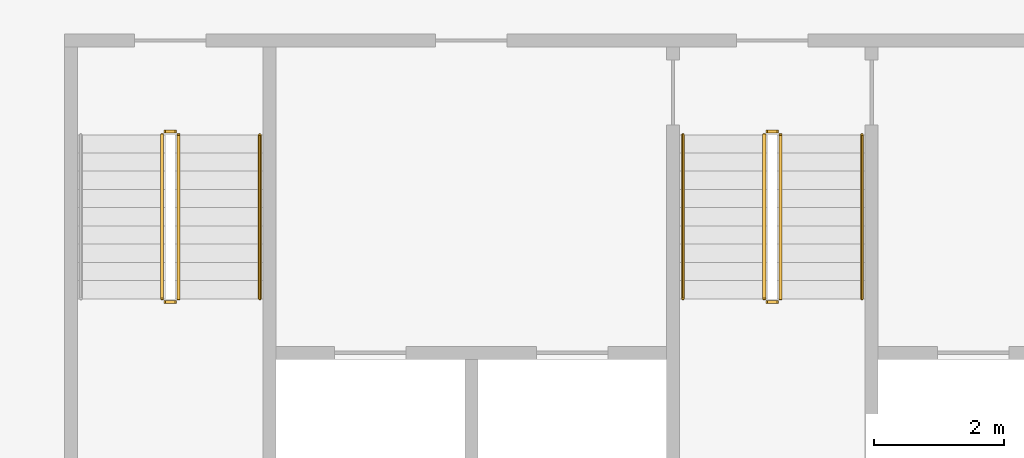
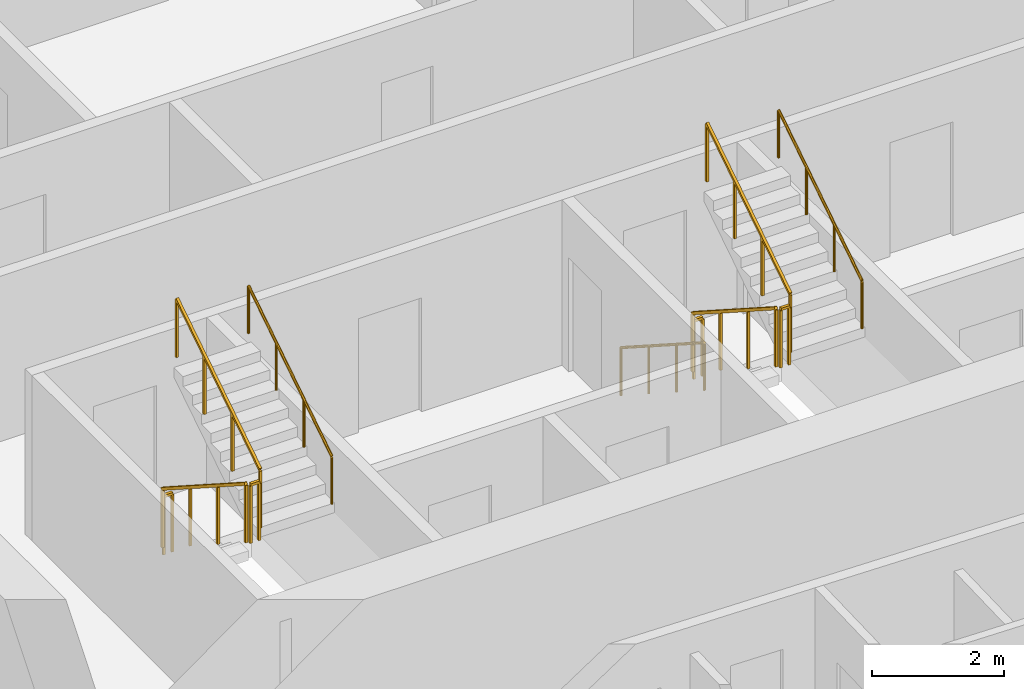
# One storey, part 14 of 16: 11 railings.
"""IFC4 building model written with IfcOpenShell, lengths in metres."""

from ifc_helpers import new_model, si_unit, direction, frame, origin, origin_2d, place, context, subcontext, project, spatial, rectangle, circle, extrude, material, type_object, element, save


model = new_model("IFC4")

# Units and contexts
model_context = context("Model", 3, precision=1e-05, world=origin(), true_north=direction((0.0, 1.0)))
body_context = subcontext(model_context, "Body", "Model", "MODEL_VIEW")
ifc_project = project(units=[si_unit("LENGTHUNIT", "METRE"), si_unit("AREAUNIT", "SQUARE_METRE"), si_unit("VOLUMEUNIT", "CUBIC_METRE"), si_unit("PLANEANGLEUNIT", "RADIAN"), si_unit("MASSUNIT", "GRAM", prefix="KILO")], contexts=[model_context])

# Site, building, storey
site_placement = place(None, origin())
site = spatial("IfcSite", under=ifc_project, at=site_placement, CompositionType="ELEMENT")
building_placement = place(site_placement, origin())
building = spatial("IfcBuilding", under=site, at=building_placement, Name="Mangrove Gate Tower", CompositionType="ELEMENT")
storey_placement = place(building_placement, frame((0.0, 0.0, 215.89990234375)))
storey = spatial("IfcBuildingStorey", under=building, at=storey_placement, Name="L55", CompositionType="ELEMENT", Elevation=215.89990234375)

# Railings
ifc_material_1 = material(Name="Stainless steel 316", Category="steel")
railing_type_1 = type_object("IfcRailingType", Name="Core stair guard 1100", PredefinedType="GUARDRAIL", material=ifc_material_1)
railing_1_placement = place(storey_placement, frame((-9.39990234375, -4.64990234375, 0.18017578125)))
element("IfcRailing", 1, at=railing_1_placement, inside=storey, type_object=railing_type_1, Name="L55 ST1 stair guard 1", PredefinedType="GUARDRAIL", context=body_context, shape_type="SweptSolid", body=[
    extrude(rectangle(XDim=0.048095703125, YDim=0.048095703125, at=origin_2d()), frame((0.0, 0.0, 1.076171875), z_axis=(0.0, -0.841199657755, 0.540724639528), x_axis=(1.0, 0.0, 0.0)), (0.0, 0.0, 1.0), 2.995849609375),
    extrude(rectangle(XDim=0.0419921875, YDim=0.0419921875, at=origin_2d()), origin(), (0.0, 0.0, 1.0), 1.052001953125),
    extrude(rectangle(XDim=0.0419921875, YDim=0.0419921875, at=origin_2d()), frame((0.0, -0.840087890625, 0.5400390625)), (0.0, 0.0, 1.0), 1.052001953125),
    extrude(rectangle(XDim=0.0419921875, YDim=0.0419921875, at=origin_2d()), frame((0.0, -1.679931640625, 1.079833984375)), (0.0, 0.0, 1.0), 1.052001953125),
    extrude(rectangle(XDim=0.0419921875, YDim=0.0419921875, at=origin_2d()), frame((0.0, -2.52001953125, 1.619873046875)), (0.0, 0.0, 1.0), 1.052001953125),
])
railing_2_placement = place(storey_placement, frame((-9.35009765625, -7.219970703125, 1.800048828125)))
element("IfcRailing", 2, at=railing_2_placement, inside=storey, type_object=railing_type_1, Name="L55 ST1 stair guard 2", PredefinedType="GUARDRAIL", context=body_context, shape_type="SweptSolid", body=[
    extrude(rectangle(XDim=0.048095703125, YDim=0.048095703125, at=origin_2d()), frame((0.0, 0.0, 1.076171875), z_axis=(1.0, 0.0, 0.0), x_axis=(0.0, 1.0, 0.0)), (0.0, 0.0, 1.0), 0.150146484375),
    extrude(rectangle(XDim=0.0419921875, YDim=0.0419921875, at=origin_2d()), origin(), (0.0, 0.0, 1.0), 1.052001953125),
    extrude(rectangle(XDim=0.0419921875, YDim=0.0419921875, at=origin_2d()), frame((0.150146484375, 0.0, 0.0)), (0.0, 0.0, 1.0), 1.052001953125),
])
railing_3_placement = place(storey_placement, frame((-9.14990234375, -7.169921875, 1.97998046875)))
element("IfcRailing", 3, at=railing_3_placement, inside=storey, type_object=railing_type_1, Name="L55 ST1 stair guard 3", PredefinedType="GUARDRAIL", context=body_context, shape_type="SweptSolid", body=[
    extrude(rectangle(XDim=0.048095703125, YDim=0.048095703125, at=origin_2d()), frame((0.0, 0.0, 1.076171875), z_axis=(0.0, 0.841162588446, 0.540782303519), x_axis=(-1.0, 0.0, 0.0)), (0.0, 0.0, 1.0), 2.995849609375),
    extrude(rectangle(XDim=0.0419921875, YDim=0.0419921875, at=origin_2d()), origin(), (0.0, 0.0, 1.0), 1.052001953125),
    extrude(rectangle(XDim=0.0419921875, YDim=0.0419921875, at=origin_2d()), frame((0.0, 0.840087890625, 0.5400390625)), (0.0, 0.0, 1.0), 1.052001953125),
    extrude(rectangle(XDim=0.0419921875, YDim=0.0419921875, at=origin_2d()), frame((0.0, 1.679931640625, 1.080078125)), (0.0, 0.0, 1.0), 1.052001953125),
    extrude(rectangle(XDim=0.0419921875, YDim=0.0419921875, at=origin_2d()), frame((0.0, 2.52001953125, 1.6201171875)), (0.0, 0.0, 1.0), 1.052001953125),
])
railing_4_placement = place(storey_placement, frame((-9.35009765625, -4.60009765625, 0.0)))
element("IfcRailing", 4, at=railing_4_placement, inside=storey, type_object=railing_type_1, Name="L55 ST1 stair guard 4", PredefinedType="GUARDRAIL", context=body_context, shape_type="SweptSolid", body=[
    extrude(rectangle(XDim=0.048095703125, YDim=0.048095703125, at=origin_2d()), frame((0.0, 0.0, 1.076171875), z_axis=(1.0, 0.0, 0.0), x_axis=(0.0, 1.0, 0.0)), (0.0, 0.0, 1.0), 0.150146484375),
    extrude(rectangle(XDim=0.0419921875, YDim=0.0419921875, at=origin_2d()), origin(), (0.0, 0.0, 1.0), 1.052001953125),
    extrude(rectangle(XDim=0.0419921875, YDim=0.0419921875, at=origin_2d()), frame((0.150146484375, 0.0, 0.0)), (0.0, 0.0, 1.0), 1.052001953125),
])
railing_5_placement = place(storey_placement, frame((-0.14990234375, -4.64990234375, 0.18017578125)))
element("IfcRailing", 5, at=railing_5_placement, inside=storey, type_object=railing_type_1, Name="L55 ST2 stair guard 1", PredefinedType="GUARDRAIL", context=body_context, shape_type="SweptSolid", body=[
    extrude(rectangle(XDim=0.048095703125, YDim=0.048095703125, at=origin_2d()), frame((0.0, 0.0, 1.076171875), z_axis=(0.0, -0.841199657755, 0.540724639528), x_axis=(1.0, 0.0, 0.0)), (0.0, 0.0, 1.0), 2.995849609375),
    extrude(rectangle(XDim=0.0419921875, YDim=0.0419921875, at=origin_2d()), origin(), (0.0, 0.0, 1.0), 1.052001953125),
    extrude(rectangle(XDim=0.0419921875, YDim=0.0419921875, at=origin_2d()), frame((0.0, -0.840087890625, 0.5400390625)), (0.0, 0.0, 1.0), 1.052001953125),
    extrude(rectangle(XDim=0.0419921875, YDim=0.0419921875, at=origin_2d()), frame((0.0, -1.679931640625, 1.079833984375)), (0.0, 0.0, 1.0), 1.052001953125),
    extrude(rectangle(XDim=0.0419921875, YDim=0.0419921875, at=origin_2d()), frame((0.0, -2.52001953125, 1.619873046875)), (0.0, 0.0, 1.0), 1.052001953125),
])
railing_6_placement = place(storey_placement, frame((-0.10009765625, -7.219970703125, 1.800048828125)))
element("IfcRailing", 6, at=railing_6_placement, inside=storey, type_object=railing_type_1, Name="L55 ST2 stair guard 2", PredefinedType="GUARDRAIL", context=body_context, shape_type="SweptSolid", body=[
    extrude(rectangle(XDim=0.048095703125, YDim=0.048095703125, at=origin_2d()), frame((0.0, 0.0, 1.076171875), z_axis=(1.0, 0.0, 0.0), x_axis=(0.0, 1.0, 0.0)), (0.0, 0.0, 1.0), 0.150146484375),
    extrude(rectangle(XDim=0.0419921875, YDim=0.0419921875, at=origin_2d()), origin(), (0.0, 0.0, 1.0), 1.052001953125),
    extrude(rectangle(XDim=0.0419921875, YDim=0.0419921875, at=origin_2d()), frame((0.150146484375, 0.0, 0.0)), (0.0, 0.0, 1.0), 1.052001953125),
])
railing_7_placement = place(storey_placement, frame((0.10009765625, -7.169921875, 1.97998046875)))
element("IfcRailing", 7, at=railing_7_placement, inside=storey, type_object=railing_type_1, Name="L55 ST2 stair guard 3", PredefinedType="GUARDRAIL", context=body_context, shape_type="SweptSolid", body=[
    extrude(rectangle(XDim=0.048095703125, YDim=0.048095703125, at=origin_2d()), frame((0.0, 0.0, 1.076171875), z_axis=(0.0, 0.841162588446, 0.540782303519), x_axis=(-1.0, 0.0, 0.0)), (0.0, 0.0, 1.0), 2.995849609375),
    extrude(rectangle(XDim=0.0419921875, YDim=0.0419921875, at=origin_2d()), origin(), (0.0, 0.0, 1.0), 1.052001953125),
    extrude(rectangle(XDim=0.0419921875, YDim=0.0419921875, at=origin_2d()), frame((0.0, 0.840087890625, 0.5400390625)), (0.0, 0.0, 1.0), 1.052001953125),
    extrude(rectangle(XDim=0.0419921875, YDim=0.0419921875, at=origin_2d()), frame((0.0, 1.679931640625, 1.080078125)), (0.0, 0.0, 1.0), 1.052001953125),
    extrude(rectangle(XDim=0.0419921875, YDim=0.0419921875, at=origin_2d()), frame((0.0, 2.52001953125, 1.6201171875)), (0.0, 0.0, 1.0), 1.052001953125),
])
railing_8_placement = place(storey_placement, frame((-0.10009765625, -4.60009765625, 0.0)))
element("IfcRailing", 8, at=railing_8_placement, inside=storey, type_object=railing_type_1, Name="L55 ST2 stair guard 4", PredefinedType="GUARDRAIL", context=body_context, shape_type="SweptSolid", body=[
    extrude(rectangle(XDim=0.048095703125, YDim=0.048095703125, at=origin_2d()), frame((0.0, 0.0, 1.076171875), z_axis=(1.0, 0.0, 0.0), x_axis=(0.0, 1.0, 0.0)), (0.0, 0.0, 1.0), 0.150146484375),
    extrude(rectangle(XDim=0.0419921875, YDim=0.0419921875, at=origin_2d()), origin(), (0.0, 0.0, 1.0), 1.052001953125),
    extrude(rectangle(XDim=0.0419921875, YDim=0.0419921875, at=origin_2d()), frame((0.150146484375, 0.0, 0.0)), (0.0, 0.0, 1.0), 1.052001953125),
])
ifc_material_2 = material(Name="Stainless steel 316", Category="steel")
railing_type_2 = type_object("IfcRailingType", Name="Core stair handrail 900", PredefinedType="HANDRAIL", material=ifc_material_2)
railing_9_placement = place(storey_placement, frame((-7.89990234375, -7.169921875, 1.97998046875)))
element("IfcRailing", 9, at=railing_9_placement, inside=storey, type_object=railing_type_2, Name="L55 ST1 stair handrail 2", PredefinedType="HANDRAIL", context=body_context, shape_type="SweptSolid", body=[
    extrude(circle(Radius=0.02392578125, at=origin_2d()), frame((0.0, 0.0, 0.8759765625), z_axis=(0.0, 0.841162588446, 0.540782303519), x_axis=(-1.0, 0.0, 0.0)), (0.0, 0.0, 1.0), 2.995849609375),
    extrude(circle(Radius=0.02099609375, at=origin_2d()), origin(), (0.0, 0.0, 1.0), 0.851806640625),
    extrude(circle(Radius=0.02099609375, at=origin_2d()), frame((0.0, 0.840087890625, 0.5400390625)), (0.0, 0.0, 1.0), 0.851806640625),
    extrude(circle(Radius=0.02099609375, at=origin_2d()), frame((0.0, 1.679931640625, 1.080078125)), (0.0, 0.0, 1.0), 0.851806640625),
    extrude(circle(Radius=0.02099609375, at=origin_2d()), frame((0.0, 2.52001953125, 1.6201171875)), (0.0, 0.0, 1.0), 0.851806640625),
])
railing_10_placement = place(storey_placement, frame((-1.39990234375, -4.64990234375, 0.18017578125)))
element("IfcRailing", 10, at=railing_10_placement, inside=storey, type_object=railing_type_2, Name="L55 ST2 stair handrail 1", PredefinedType="HANDRAIL", context=body_context, shape_type="SweptSolid", body=[
    extrude(circle(Radius=0.02392578125, at=origin_2d()), frame((0.0, 0.0, 0.8759765625), z_axis=(0.0, -0.841199657755, 0.540724639528), x_axis=(1.0, 0.0, 0.0)), (0.0, 0.0, 1.0), 2.995849609375),
    extrude(circle(Radius=0.02099609375, at=origin_2d()), origin(), (0.0, 0.0, 1.0), 0.851806640625),
    extrude(circle(Radius=0.02099609375, at=origin_2d()), frame((0.0, -0.840087890625, 0.5400390625)), (0.0, 0.0, 1.0), 0.851806640625),
    extrude(circle(Radius=0.02099609375, at=origin_2d()), frame((0.0, -1.679931640625, 1.079833984375)), (0.0, 0.0, 1.0), 0.851806640625),
    extrude(circle(Radius=0.02099609375, at=origin_2d()), frame((0.0, -2.52001953125, 1.619873046875)), (0.0, 0.0, 1.0), 0.851806640625),
])
railing_11_placement = place(storey_placement, frame((1.35009765625, -7.169921875, 1.97998046875)))
element("IfcRailing", 11, at=railing_11_placement, inside=storey, type_object=railing_type_2, Name="L55 ST2 stair handrail 2", PredefinedType="HANDRAIL", context=body_context, shape_type="SweptSolid", body=[
    extrude(circle(Radius=0.02392578125, at=origin_2d()), frame((0.0, 0.0, 0.8759765625), z_axis=(0.0, 0.841162588446, 0.540782303519), x_axis=(-1.0, 0.0, 0.0)), (0.0, 0.0, 1.0), 2.995849609375),
    extrude(circle(Radius=0.02099609375, at=origin_2d()), origin(), (0.0, 0.0, 1.0), 0.851806640625),
    extrude(circle(Radius=0.02099609375, at=origin_2d()), frame((0.0, 0.840087890625, 0.5400390625)), (0.0, 0.0, 1.0), 0.851806640625),
    extrude(circle(Radius=0.02099609375, at=origin_2d()), frame((0.0, 1.679931640625, 1.080078125)), (0.0, 0.0, 1.0), 0.851806640625),
    extrude(circle(Radius=0.02099609375, at=origin_2d()), frame((0.0, 2.52001953125, 1.6201171875)), (0.0, 0.0, 1.0), 0.851806640625),
])

save(model, "model.ifc")
